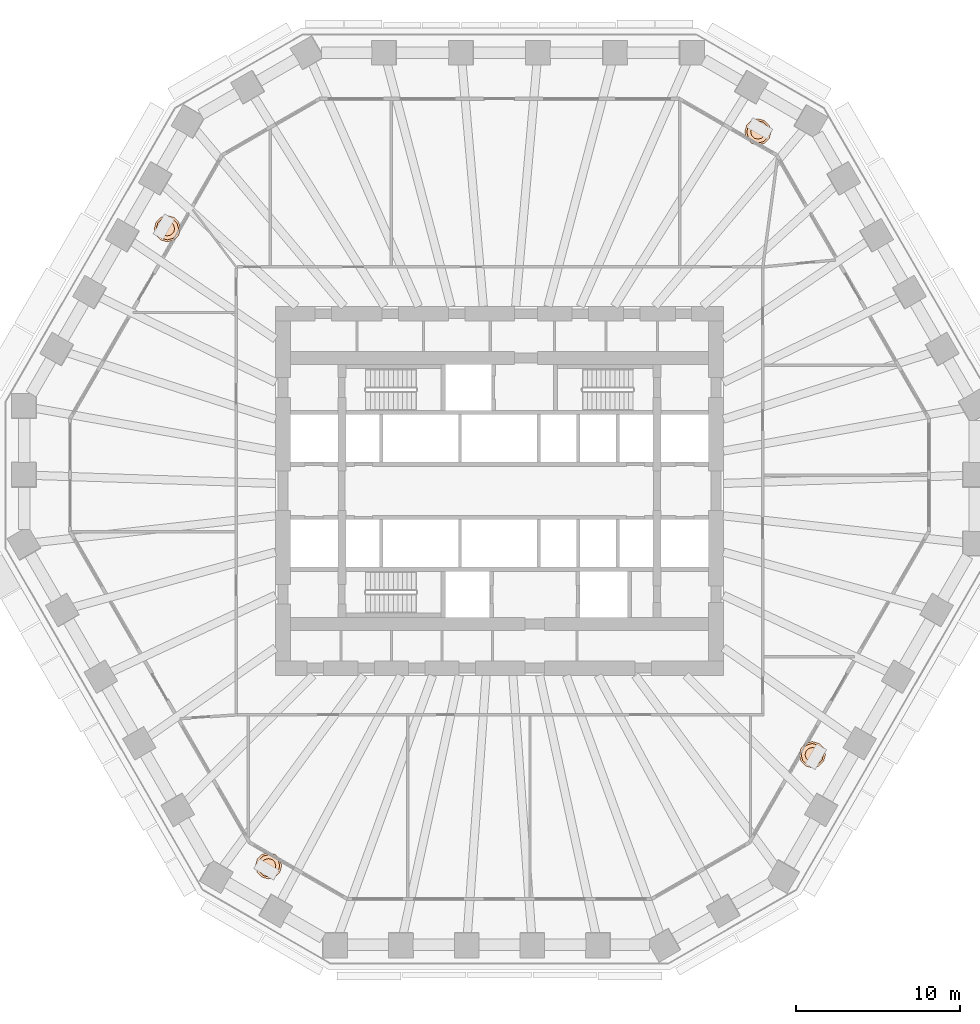
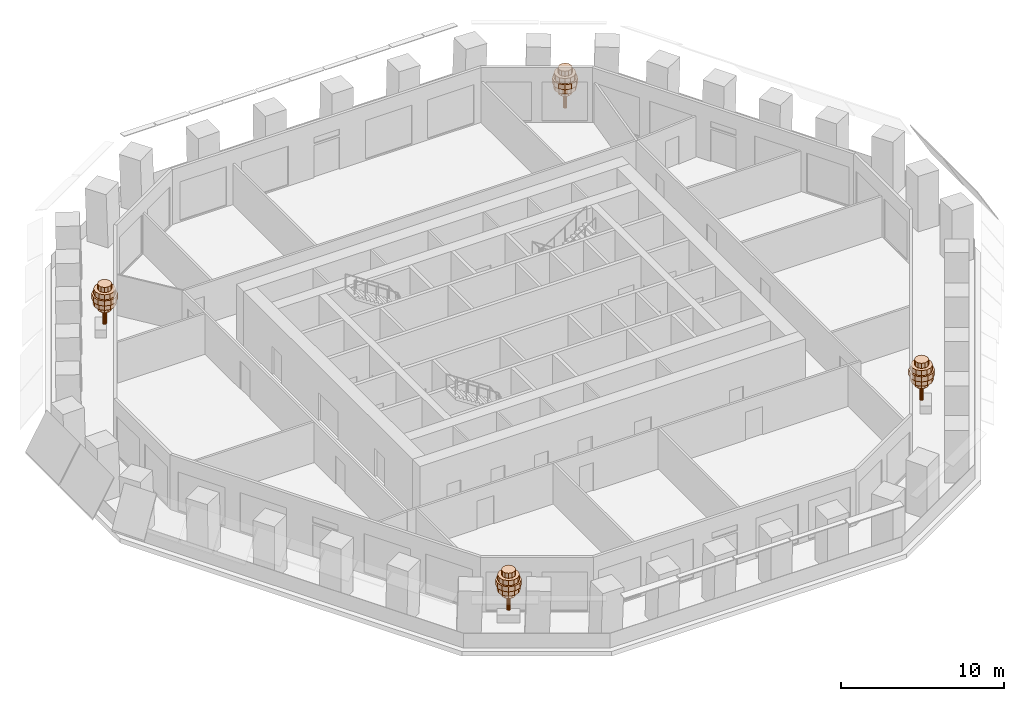
# One storey, part 12 of 12: 4 geographic elements.
"""IFC4 building model written with IfcOpenShell, lengths in metres."""

from ifc_helpers import new_model, si_unit, direction, frame, origin, place, context, subcontext, project, spatial, polyline, outline, extrude, material, type_object, element, save


model = new_model("IFC4")

# Units and contexts
model_context = context("Model", 3, precision=1e-05, world=origin(), true_north=direction((0.0, 1.0)))
body_context = subcontext(model_context, "Body", "Model", "MODEL_VIEW")
ifc_project = project(units=[si_unit("LENGTHUNIT", "METRE"), si_unit("AREAUNIT", "SQUARE_METRE"), si_unit("VOLUMEUNIT", "CUBIC_METRE"), si_unit("PLANEANGLEUNIT", "RADIAN"), si_unit("MASSUNIT", "GRAM", prefix="KILO")], contexts=[model_context])

# Site, building, storey
site_placement = place(None, origin())
site = spatial("IfcSite", under=ifc_project, at=site_placement, CompositionType="ELEMENT")
building_placement = place(site_placement, origin())
building = spatial("IfcBuilding", under=site, at=building_placement, Name="Frailejon Research Tower", CompositionType="ELEMENT")
storey_placement = place(building_placement, frame((0.0, 0.0, 45.39990234375)))
storey = spatial("IfcBuildingStorey", under=building, at=storey_placement, Name="L10", CompositionType="ELEMENT", Elevation=45.39990234375)

# Geographic elements
ifc_material = material(Name="Foliage, green")
geographic_element_type = type_object("IfcGeographicElementType", Name="Frailejon tree, loggia", PredefinedType="USERDEFINED", material=ifc_material)
geographic_element_1_placement = place(storey_placement, frame((15.7490234375, 21.878173828125, 0.60009765625)))
element("IfcGeographicElement", 1, at=geographic_element_1_placement, inside=storey, type_object=geographic_element_type, Name="Tree L10", ObjectType="TREE", PredefinedType="USERDEFINED", context=body_context, shape_type="SweptSolid", body=[
    extrude(outline(polyline([(0.1298828125, 0.0), (0.112548828125, 0.06494140625), (0.06494140625, 0.112548828125), (0.0, 0.1298828125), (-0.06494140625, 0.112548828125), (-0.112548828125, 0.06494140625), (-0.1298828125, 0.0), (-0.112548828125, -0.06494140625), (-0.06494140625, -0.112548828125), (0.0, -0.1298828125), (0.06494140625, -0.112548828125), (0.112548828125, -0.06494140625), (0.1298828125, 0.0)])), origin(), (0.0, 0.0, 1.0), 2.239990234375),
    extrude(outline(polyline([(0.43994140625, 0.0), (0.381103515625, 0.219970703125), (0.219970703125, 0.381103515625), (0.0, 0.43994140625), (-0.219970703125, 0.381103515625), (-0.381103515625, 0.219970703125), (-0.43994140625, 0.0), (-0.381103515625, -0.219970703125), (-0.219970703125, -0.381103515625), (0.0, -0.43994140625), (0.219970703125, -0.381103515625), (0.381103515625, -0.219970703125), (0.43994140625, 0.0)])), frame((0.0, 0.0, 1.10009765625)), (0.0, 0.0, 1.0), 0.3798828125),
    extrude(outline(polyline([(0.719970703125, 0.0), (0.62353515625, 0.360107421875), (0.360107421875, 0.62353515625), (0.0, 0.719970703125), (-0.360107421875, 0.62353515625), (-0.62353515625, 0.360107421875), (-0.719970703125, 0.0), (-0.62353515625, -0.360107421875), (-0.360107421875, -0.62353515625), (0.0, -0.719970703125), (0.360107421875, -0.62353515625), (0.62353515625, -0.360107421875), (0.719970703125, 0.0)])), frame((0.0, 0.0, 1.47998046875)), (0.0, 0.0, 1.0), 0.3798828125),
    extrude(outline(polyline([(0.800048828125, 0.0), (0.69287109375, 0.39990234375), (0.39990234375, 0.69287109375), (0.0, 0.800048828125), (-0.39990234375, 0.69287109375), (-0.69287109375, 0.39990234375), (-0.800048828125, 0.0), (-0.69287109375, -0.39990234375), (-0.39990234375, -0.69287109375), (0.0, -0.800048828125), (0.39990234375, -0.69287109375), (0.69287109375, -0.39990234375), (0.800048828125, 0.0)])), frame((0.0, 0.0, 1.860107421875)), (0.0, 0.0, 1.0), 0.3798828125),
    extrude(outline(polyline([(0.679931640625, 0.0), (0.5888671875, 0.340087890625), (0.340087890625, 0.5888671875), (0.0, 0.679931640625), (-0.340087890625, 0.5888671875), (-0.5888671875, 0.340087890625), (-0.679931640625, 0.0), (-0.5888671875, -0.340087890625), (-0.340087890625, -0.5888671875), (0.0, -0.679931640625), (0.340087890625, -0.5888671875), (0.5888671875, -0.340087890625), (0.679931640625, 0.0)])), frame((0.0, 0.0, 2.239990234375)), (0.0, 0.0, 1.0), 0.3798828125),
    extrude(outline(polyline([(0.43994140625, 0.0), (0.381103515625, 0.219970703125), (0.219970703125, 0.381103515625), (0.0, 0.43994140625), (-0.219970703125, 0.381103515625), (-0.381103515625, 0.219970703125), (-0.43994140625, 0.0), (-0.381103515625, -0.219970703125), (-0.219970703125, -0.381103515625), (0.0, -0.43994140625), (0.219970703125, -0.381103515625), (0.381103515625, -0.219970703125), (0.43994140625, 0.0)])), frame((0.0, 0.0, 2.6201171875)), (0.0, 0.0, 1.0), 0.3798828125),
])
geographic_element_2_placement = place(storey_placement, frame((-20.23974609375, 15.979736328125, 0.60009765625)))
element("IfcGeographicElement", 2, at=geographic_element_2_placement, inside=storey, type_object=geographic_element_type, Name="Tree L10", ObjectType="TREE", PredefinedType="USERDEFINED", context=body_context, shape_type="SweptSolid", body=[
    extrude(outline(polyline([(0.1298828125, 0.0), (0.112548828125, 0.06494140625), (0.06494140625, 0.112548828125), (0.0, 0.1298828125), (-0.06494140625, 0.112548828125), (-0.112548828125, 0.06494140625), (-0.1298828125, 0.0), (-0.112548828125, -0.06494140625), (-0.06494140625, -0.112548828125), (0.0, -0.1298828125), (0.06494140625, -0.112548828125), (0.112548828125, -0.06494140625), (0.1298828125, 0.0)])), origin(), (0.0, 0.0, 1.0), 2.239990234375),
    extrude(outline(polyline([(0.43994140625, 0.0), (0.381103515625, 0.219970703125), (0.219970703125, 0.381103515625), (0.0, 0.43994140625), (-0.219970703125, 0.381103515625), (-0.381103515625, 0.219970703125), (-0.43994140625, 0.0), (-0.381103515625, -0.219970703125), (-0.219970703125, -0.381103515625), (0.0, -0.43994140625), (0.219970703125, -0.381103515625), (0.381103515625, -0.219970703125), (0.43994140625, 0.0)])), frame((0.0, 0.0, 1.10009765625)), (0.0, 0.0, 1.0), 0.3798828125),
    extrude(outline(polyline([(0.719970703125, 0.0), (0.62353515625, 0.360107421875), (0.360107421875, 0.62353515625), (0.0, 0.719970703125), (-0.360107421875, 0.62353515625), (-0.62353515625, 0.360107421875), (-0.719970703125, 0.0), (-0.62353515625, -0.360107421875), (-0.360107421875, -0.62353515625), (0.0, -0.719970703125), (0.360107421875, -0.62353515625), (0.62353515625, -0.360107421875), (0.719970703125, 0.0)])), frame((0.0, 0.0, 1.47998046875)), (0.0, 0.0, 1.0), 0.3798828125),
    extrude(outline(polyline([(0.800048828125, 0.0), (0.69287109375, 0.39990234375), (0.39990234375, 0.69287109375), (0.0, 0.800048828125), (-0.39990234375, 0.69287109375), (-0.69287109375, 0.39990234375), (-0.800048828125, 0.0), (-0.69287109375, -0.39990234375), (-0.39990234375, -0.69287109375), (0.0, -0.800048828125), (0.39990234375, -0.69287109375), (0.69287109375, -0.39990234375), (0.800048828125, 0.0)])), frame((0.0, 0.0, 1.860107421875)), (0.0, 0.0, 1.0), 0.3798828125),
    extrude(outline(polyline([(0.679931640625, 0.0), (0.5888671875, 0.340087890625), (0.340087890625, 0.5888671875), (0.0, 0.679931640625), (-0.340087890625, 0.5888671875), (-0.5888671875, 0.340087890625), (-0.679931640625, 0.0), (-0.5888671875, -0.340087890625), (-0.340087890625, -0.5888671875), (0.0, -0.679931640625), (0.340087890625, -0.5888671875), (0.5888671875, -0.340087890625), (0.679931640625, 0.0)])), frame((0.0, 0.0, 2.239990234375)), (0.0, 0.0, 1.0), 0.3798828125),
    extrude(outline(polyline([(0.43994140625, 0.0), (0.381103515625, 0.219970703125), (0.219970703125, 0.381103515625), (0.0, 0.43994140625), (-0.219970703125, 0.381103515625), (-0.381103515625, 0.219970703125), (-0.43994140625, 0.0), (-0.381103515625, -0.219970703125), (-0.219970703125, -0.381103515625), (0.0, -0.43994140625), (0.219970703125, -0.381103515625), (0.381103515625, -0.219970703125), (0.43994140625, 0.0)])), frame((0.0, 0.0, 2.6201171875)), (0.0, 0.0, 1.0), 0.3798828125),
])
geographic_element_3_placement = place(storey_placement, frame((-14.072509765625, -22.84619140625, 0.60009765625)))
element("IfcGeographicElement", 3, at=geographic_element_3_placement, inside=storey, type_object=geographic_element_type, Name="Tree L10", ObjectType="TREE", PredefinedType="USERDEFINED", context=body_context, shape_type="SweptSolid", body=[
    extrude(outline(polyline([(0.1298828125, 0.0), (0.112548828125, 0.06494140625), (0.06494140625, 0.112548828125), (0.0, 0.1298828125), (-0.06494140625, 0.112548828125), (-0.112548828125, 0.06494140625), (-0.1298828125, 0.0), (-0.112548828125, -0.06494140625), (-0.06494140625, -0.112548828125), (0.0, -0.1298828125), (0.06494140625, -0.112548828125), (0.112548828125, -0.06494140625), (0.1298828125, 0.0)])), origin(), (0.0, 0.0, 1.0), 2.239990234375),
    extrude(outline(polyline([(0.43994140625, 0.0), (0.381103515625, 0.219970703125), (0.219970703125, 0.381103515625), (0.0, 0.43994140625), (-0.219970703125, 0.381103515625), (-0.381103515625, 0.219970703125), (-0.43994140625, 0.0), (-0.381103515625, -0.219970703125), (-0.219970703125, -0.381103515625), (0.0, -0.43994140625), (0.219970703125, -0.381103515625), (0.381103515625, -0.219970703125), (0.43994140625, 0.0)])), frame((0.0, 0.0, 1.10009765625)), (0.0, 0.0, 1.0), 0.3798828125),
    extrude(outline(polyline([(0.719970703125, 0.0), (0.62353515625, 0.360107421875), (0.360107421875, 0.62353515625), (0.0, 0.719970703125), (-0.360107421875, 0.62353515625), (-0.62353515625, 0.360107421875), (-0.719970703125, 0.0), (-0.62353515625, -0.360107421875), (-0.360107421875, -0.62353515625), (0.0, -0.719970703125), (0.360107421875, -0.62353515625), (0.62353515625, -0.360107421875), (0.719970703125, 0.0)])), frame((0.0, 0.0, 1.47998046875)), (0.0, 0.0, 1.0), 0.3798828125),
    extrude(outline(polyline([(0.800048828125, 0.0), (0.69287109375, 0.39990234375), (0.39990234375, 0.69287109375), (0.0, 0.800048828125), (-0.39990234375, 0.69287109375), (-0.69287109375, 0.39990234375), (-0.800048828125, 0.0), (-0.69287109375, -0.39990234375), (-0.39990234375, -0.69287109375), (0.0, -0.800048828125), (0.39990234375, -0.69287109375), (0.69287109375, -0.39990234375), (0.800048828125, 0.0)])), frame((0.0, 0.0, 1.860107421875)), (0.0, 0.0, 1.0), 0.3798828125),
    extrude(outline(polyline([(0.679931640625, 0.0), (0.5888671875, 0.340087890625), (0.340087890625, 0.5888671875), (0.0, 0.679931640625), (-0.340087890625, 0.5888671875), (-0.5888671875, 0.340087890625), (-0.679931640625, 0.0), (-0.5888671875, -0.340087890625), (-0.340087890625, -0.5888671875), (0.0, -0.679931640625), (0.340087890625, -0.5888671875), (0.5888671875, -0.340087890625), (0.679931640625, 0.0)])), frame((0.0, 0.0, 2.239990234375)), (0.0, 0.0, 1.0), 0.3798828125),
    extrude(outline(polyline([(0.43994140625, 0.0), (0.381103515625, 0.219970703125), (0.219970703125, 0.381103515625), (0.0, 0.43994140625), (-0.219970703125, 0.381103515625), (-0.381103515625, 0.219970703125), (-0.43994140625, 0.0), (-0.381103515625, -0.219970703125), (-0.219970703125, -0.381103515625), (0.0, -0.43994140625), (0.219970703125, -0.381103515625), (0.381103515625, -0.219970703125), (0.43994140625, 0.0)])), frame((0.0, 0.0, 2.6201171875)), (0.0, 0.0, 1.0), 0.3798828125),
])
geographic_element_4_placement = place(storey_placement, frame((19.066162109375, -16.076416015625, 0.60009765625)))
element("IfcGeographicElement", 4, at=geographic_element_4_placement, inside=storey, type_object=geographic_element_type, Name="Tree L10", ObjectType="TREE", PredefinedType="USERDEFINED", context=body_context, shape_type="SweptSolid", body=[
    extrude(outline(polyline([(0.1298828125, 0.0), (0.112548828125, 0.06494140625), (0.06494140625, 0.112548828125), (0.0, 0.1298828125), (-0.06494140625, 0.112548828125), (-0.112548828125, 0.06494140625), (-0.1298828125, 0.0), (-0.112548828125, -0.06494140625), (-0.06494140625, -0.112548828125), (0.0, -0.1298828125), (0.06494140625, -0.112548828125), (0.112548828125, -0.06494140625), (0.1298828125, 0.0)])), origin(), (0.0, 0.0, 1.0), 2.239990234375),
    extrude(outline(polyline([(0.43994140625, 0.0), (0.381103515625, 0.219970703125), (0.219970703125, 0.381103515625), (0.0, 0.43994140625), (-0.219970703125, 0.381103515625), (-0.381103515625, 0.219970703125), (-0.43994140625, 0.0), (-0.381103515625, -0.219970703125), (-0.219970703125, -0.381103515625), (0.0, -0.43994140625), (0.219970703125, -0.381103515625), (0.381103515625, -0.219970703125), (0.43994140625, 0.0)])), frame((0.0, 0.0, 1.10009765625)), (0.0, 0.0, 1.0), 0.3798828125),
    extrude(outline(polyline([(0.719970703125, 0.0), (0.62353515625, 0.360107421875), (0.360107421875, 0.62353515625), (0.0, 0.719970703125), (-0.360107421875, 0.62353515625), (-0.62353515625, 0.360107421875), (-0.719970703125, 0.0), (-0.62353515625, -0.360107421875), (-0.360107421875, -0.62353515625), (0.0, -0.719970703125), (0.360107421875, -0.62353515625), (0.62353515625, -0.360107421875), (0.719970703125, 0.0)])), frame((0.0, 0.0, 1.47998046875)), (0.0, 0.0, 1.0), 0.3798828125),
    extrude(outline(polyline([(0.800048828125, 0.0), (0.69287109375, 0.39990234375), (0.39990234375, 0.69287109375), (0.0, 0.800048828125), (-0.39990234375, 0.69287109375), (-0.69287109375, 0.39990234375), (-0.800048828125, 0.0), (-0.69287109375, -0.39990234375), (-0.39990234375, -0.69287109375), (0.0, -0.800048828125), (0.39990234375, -0.69287109375), (0.69287109375, -0.39990234375), (0.800048828125, 0.0)])), frame((0.0, 0.0, 1.860107421875)), (0.0, 0.0, 1.0), 0.3798828125),
    extrude(outline(polyline([(0.679931640625, 0.0), (0.5888671875, 0.340087890625), (0.340087890625, 0.5888671875), (0.0, 0.679931640625), (-0.340087890625, 0.5888671875), (-0.5888671875, 0.340087890625), (-0.679931640625, 0.0), (-0.5888671875, -0.340087890625), (-0.340087890625, -0.5888671875), (0.0, -0.679931640625), (0.340087890625, -0.5888671875), (0.5888671875, -0.340087890625), (0.679931640625, 0.0)])), frame((0.0, 0.0, 2.239990234375)), (0.0, 0.0, 1.0), 0.3798828125),
    extrude(outline(polyline([(0.43994140625, 0.0), (0.381103515625, 0.219970703125), (0.219970703125, 0.381103515625), (0.0, 0.43994140625), (-0.219970703125, 0.381103515625), (-0.381103515625, 0.219970703125), (-0.43994140625, 0.0), (-0.381103515625, -0.219970703125), (-0.219970703125, -0.381103515625), (0.0, -0.43994140625), (0.219970703125, -0.381103515625), (0.381103515625, -0.219970703125), (0.43994140625, 0.0)])), frame((0.0, 0.0, 2.6201171875)), (0.0, 0.0, 1.0), 0.3798828125),
])

save(model, "model.ifc")
